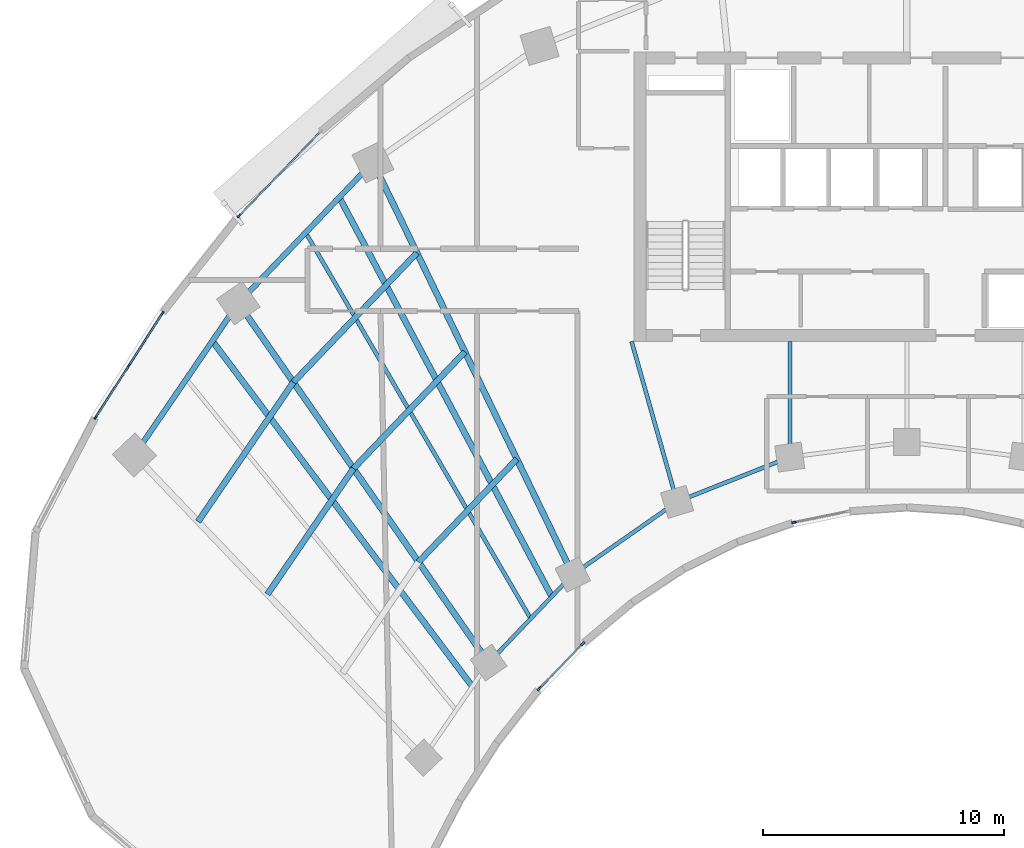
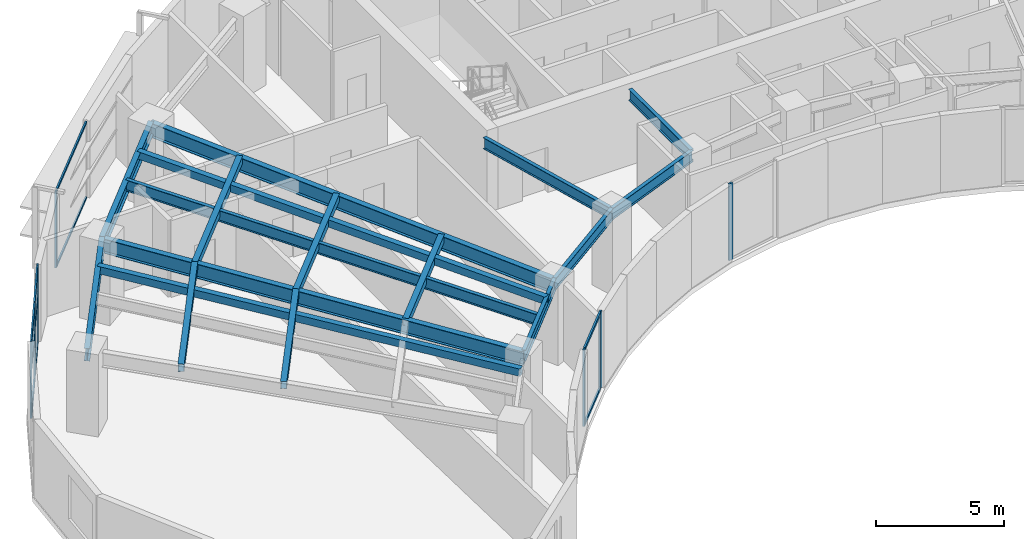
# One storey, part 2 of 14: 17 beams, 17 members, 4 elements without a shape of their own.
"""IFC4 building model written with IfcOpenShell, lengths in metres."""

from ifc_helpers import new_model, si_unit, direction, frame, origin, origin_2d, place, context, subcontext, project, spatial, rectangle, hollow_rectangle, i_section, extrude, source, transform, mapped, material, layer, layer_set, material_profile, profile_set, type_object, type_shapes, element, aggregate, save


model = new_model("IFC4")

# Units and contexts
model_context = context("Model", 3, precision=1e-05, world=origin(), true_north=direction((0.0, 1.0)))
body_context = subcontext(model_context, "Body", "Model", "MODEL_VIEW")
ifc_project = project(units=[si_unit("LENGTHUNIT", "METRE"), si_unit("AREAUNIT", "SQUARE_METRE"), si_unit("VOLUMEUNIT", "CUBIC_METRE"), si_unit("PLANEANGLEUNIT", "RADIAN"), si_unit("MASSUNIT", "GRAM", prefix="KILO")], contexts=[model_context])

# Site, building, storey
site_placement = place(None, origin())
site = spatial("IfcSite", under=ifc_project, at=site_placement, CompositionType="ELEMENT")
building_placement = place(site_placement, origin())
building = spatial("IfcBuilding", under=site, at=building_placement, Name="Breltana Convention Tower", CompositionType="ELEMENT")
storey_placement = place(building_placement, frame((0.0, 0.0, 135.0)))
storey = spatial("IfcBuildingStorey", under=building, at=storey_placement, Name="L32", CompositionType="ELEMENT", Elevation=135.0)

# Beams
ifc_material_1 = material(Name="Steel ASTM A992 Grade 50", Category="steel")
ifc_material_profile_1 = material_profile(ifc_material_1, i_section(OverallWidth=0.25390625, OverallDepth=0.68798828125, WebThickness=0.01318359375, FlangeThickness=0.02099609375, at=origin_2d()), Name="W27X102")
ifc_profile_set_1 = profile_set([ifc_material_profile_1], Name="Steel ASTM A992 Grade 50")
beam_type_1 = type_object("IfcBeamType", Name="BM-RG-W27X102", PredefinedType="USERDEFINED", material=ifc_profile_set_1)
shared_shape_1 = source(origin(), body_context, "Body", "SweptSolid", [
    extrude(i_section(OverallWidth=0.25390625, OverallDepth=0.68798828125, WebThickness=0.01318359375, FlangeThickness=0.02099609375, at=origin_2d()), origin(), (0.0, 0.0, 1.0), 18.1484375),
])
beam_1_placement = place(storey_placement, frame((30.67724609375, 46.892333984375, 3.305908203125), z_axis=(-0.571207556098, 0.820805657788, 0.0), x_axis=(-0.820805657788, -0.571207556098, 0.0)))
element("IfcBeam", 1, at=beam_1_placement, inside=storey, type_object=beam_type_1, Name="L32 Radial Floor Girder R02", ObjectType="GIRDER", PredefinedType="USERDEFINED", context=body_context, shape_type="MappedRepresentation", body=[
    mapped(shared_shape_1, transform((0.0, 0.0, 0.0), scale=1.0)),
])
shared_shape_2 = source(origin(), body_context, "Body", "SweptSolid", [
    extrude(i_section(OverallWidth=0.25390625, OverallDepth=0.68798828125, WebThickness=0.01318359375, FlangeThickness=0.02099609375, at=origin_2d()), origin(), (0.0, 0.0, 1.0), 18.982421875),
])
beam_2_placement = place(storey_placement, frame((34.166259765625, 50.544921875, 3.305908203125), z_axis=(-0.436118560343, 0.89988921614, 0.0), x_axis=(-0.89988921614, -0.436118560343, 0.0)))
element("IfcBeam", 2, at=beam_2_placement, inside=storey, type_object=beam_type_1, Name="L32 Radial Floor Girder R03", ObjectType="GIRDER", PredefinedType="USERDEFINED", context=body_context, shape_type="MappedRepresentation", body=[
    mapped(shared_shape_2, transform((0.0, 0.0, 0.0), scale=1.0)),
])
ifc_material_profile_2 = material_profile(ifc_material_1, i_section(OverallWidth=0.166015625, OverallDepth=0.534912109375, WebThickness=0.01025390625, FlangeThickness=0.0166015625, at=origin_2d()), Name="W21X57")
ifc_profile_set_2 = profile_set([ifc_material_profile_2], Name="Steel ASTM A992 Grade 50")
beam_type_2 = type_object("IfcBeamType", Name="BM-BM-W21X57", PredefinedType="BEAM", material=ifc_profile_set_2)
shared_shape_3 = source(origin(), body_context, "Body", "SweptSolid", [
    extrude(i_section(OverallWidth=0.166015625, OverallDepth=0.534912109375, WebThickness=0.01025390625, FlangeThickness=0.0166015625, at=origin_2d()), origin(), (0.0, 0.0, 1.0), 6.904541015625),
])
type_shapes(beam_type_2, [shared_shape_3])
beam_3_placement = place(storey_placement, frame((36.60009765625, 60.199951171875, 3.382568359375), z_axis=(0.273006781054, -0.962012108811, 0.0), x_axis=(0.962012108811, 0.273006781054, 0.0)))
element("IfcBeam", 3, at=beam_3_placement, inside=storey, type_object=beam_type_2, Name="L32 South Core Tie Girder R04", PredefinedType="BEAM", context=body_context, shape_type="MappedRepresentation", body=[
    mapped(shared_shape_3, transform((0.0, 0.0, 0.0), scale=1.0)),
])
shared_shape_4 = source(origin(), body_context, "Body", "SweptSolid", [
    extrude(i_section(OverallWidth=0.166015625, OverallDepth=0.534912109375, WebThickness=0.01025390625, FlangeThickness=0.0166015625, at=origin_2d()), origin(), (0.0, 0.0, 1.0), 4.789306640625),
])
beam_4_placement = place(storey_placement, frame((43.153564453125, 60.199951171875, 3.382568359375), z_axis=(0.0, -1.0, 0.0), x_axis=(1.0, 0.0, 0.0)))
element("IfcBeam", 4, at=beam_4_placement, inside=storey, type_object=beam_type_2, Name="L32 South Core Tie Girder R05", PredefinedType="BEAM", context=body_context, shape_type="MappedRepresentation", body=[
    mapped(shared_shape_4, transform((0.0, 0.0, 0.0), scale=1.0)),
])
ifc_material_profile_3 = material_profile(ifc_material_1, i_section(OverallWidth=0.22802734375, OverallDepth=0.60791015625, WebThickness=0.01123046875, FlangeThickness=0.017333984375, at=origin_2d()), Name="W24X76")
ifc_profile_set_3 = profile_set([ifc_material_profile_3], Name="Steel ASTM A992 Grade 50")
beam_type_3 = type_object("IfcBeamType", Name="BM-SP-W24X76", PredefinedType="SPANDREL", material=ifc_profile_set_3)
shared_shape_5 = source(origin(), body_context, "Body", "SweptSolid", [
    extrude(i_section(OverallWidth=0.22802734375, OverallDepth=0.60791015625, WebThickness=0.01123046875, FlangeThickness=0.017333984375, at=origin_2d()), origin(), (0.0, 0.0, 1.0), 7.625),
])
type_shapes(beam_type_3, [shared_shape_5])
beam_5_placement = place(storey_placement, frame((16.0068359375, 55.494384765625, 3.345947265625), z_axis=(0.564452031902, 0.825465870694, 0.0), x_axis=(-0.825465870694, 0.564452031902, 0.0)))
element("IfcBeam", 5, at=beam_5_placement, inside=storey, type_object=beam_type_3, Name="L32 Outer Spandrel Beam 01", PredefinedType="SPANDREL", context=body_context, shape_type="MappedRepresentation", body=[
    mapped(shared_shape_5, transform((0.0, 0.0, 0.0), scale=1.0)),
])
shared_shape_6 = source(origin(), body_context, "Body", "SweptSolid", [
    extrude(i_section(OverallWidth=0.166015625, OverallDepth=0.534912109375, WebThickness=0.01025390625, FlangeThickness=0.0166015625, at=origin_2d()), origin(), (0.0, 0.0, 1.0), 5.05126953125),
])
beam_6_placement = place(storey_placement, frame((30.67724609375, 46.892333984375, 3.382568359375), z_axis=(0.690729753845, 0.7231129975, 0.0), x_axis=(-0.7231129975, 0.690729753845, 0.0)))
element("IfcBeam", 6, at=beam_6_placement, inside=storey, type_object=beam_type_2, Name="L32 Inner Ring Beam 02", PredefinedType="BEAM", context=body_context, shape_type="MappedRepresentation", body=[
    mapped(shared_shape_6, transform((0.0, 0.0, 0.0), scale=1.0)),
])
shared_shape_7 = source(origin(), body_context, "Body", "SweptSolid", [
    extrude(i_section(OverallWidth=0.22802734375, OverallDepth=0.60791015625, WebThickness=0.01123046875, FlangeThickness=0.017333984375, at=origin_2d()), origin(), (0.0, 0.0, 1.0), 8.073974609375),
])
beam_7_placement = place(storey_placement, frame((20.310791015625, 61.78857421875, 3.345947265625), z_axis=(0.69072885448, 0.723113856588, 0.0), x_axis=(-0.723113856588, 0.69072885448, 0.0)))
element("IfcBeam", 7, at=beam_7_placement, inside=storey, type_object=beam_type_3, Name="L32 Outer Spandrel Beam 02", PredefinedType="SPANDREL", context=body_context, shape_type="MappedRepresentation", body=[
    mapped(shared_shape_7, transform((0.0, 0.0, 0.0), scale=1.0)),
])
shared_shape_8 = source(origin(), body_context, "Body", "SweptSolid", [
    extrude(i_section(OverallWidth=0.166015625, OverallDepth=0.534912109375, WebThickness=0.01025390625, FlangeThickness=0.0166015625, at=origin_2d()), origin(), (0.0, 0.0, 1.0), 5.265869140625),
])
beam_8_placement = place(storey_placement, frame((34.166259765625, 50.544921875, 3.382568359375), z_axis=(0.820167429517, 0.572123577176, 0.0), x_axis=(-0.572123577176, 0.820167429517, 0.0)))
element("IfcBeam", 8, at=beam_8_placement, inside=storey, type_object=beam_type_2, Name="L32 Inner Ring Beam 03", PredefinedType="BEAM", context=body_context, shape_type="MappedRepresentation", body=[
    mapped(shared_shape_8, transform((0.0, 0.0, 0.0), scale=1.0)),
])
shared_shape_9 = source(origin(), body_context, "Body", "SweptSolid", [
    extrude(i_section(OverallWidth=0.166015625, OverallDepth=0.534912109375, WebThickness=0.01025390625, FlangeThickness=0.0166015625, at=origin_2d()), origin(), (0.0, 0.0, 1.0), 5.022705078125),
])
beam_9_placement = place(storey_placement, frame((38.485107421875, 53.5576171875, 3.382568359375), z_axis=(0.929458966248, 0.368925507469, 0.0), x_axis=(-0.368925507469, 0.929458966248, 0.0)))
element("IfcBeam", 9, at=beam_9_placement, inside=storey, type_object=beam_type_2, Name="L32 Inner Ring Beam 04", PredefinedType="BEAM", context=body_context, shape_type="MappedRepresentation", body=[
    mapped(shared_shape_9, transform((0.0, 0.0, 0.0), scale=1.0)),
])
ifc_material_profile_4 = material_profile(ifc_material_1, hollow_rectangle(XDim=0.25, YDim=0.35009765625, WallThickness=0.011962890625, at=origin_2d()), Name="RHS350X250X12")
ifc_profile_set_4 = profile_set([ifc_material_profile_4], Name="Steel ASTM A992 Grade 50")
beam_type_4 = type_object("IfcBeamType", Name="BM-JSG-12", PredefinedType="JOIST", material=ifc_profile_set_4)
shared_shape_10 = source(origin(), body_context, "Body", "SweptSolid", [
    extrude(hollow_rectangle(XDim=0.25, YDim=0.35009765625, WallThickness=0.011962890625, at=origin_2d()), origin(), (0.0, 0.0, 1.0), 6.311767578125),
])
beam_10_placement = place(storey_placement, frame((21.5166015625, 49.72607421875, 3.47509765625), z_axis=(0.564453712577, 0.825464721449, 0.0), x_axis=(-0.825464721449, 0.564453712577, 0.0)))
element("IfcBeam", 10, at=beam_10_placement, inside=storey, type_object=beam_type_4, Name="L32 Composite Floor Joist 01.2", PredefinedType="JOIST", context=body_context, shape_type="MappedRepresentation", body=[
    mapped(shared_shape_10, transform((0.0, 0.0, 0.0), scale=1.0)),
])
shared_shape_11 = source(origin(), body_context, "Body", "SweptSolid", [
    extrude(hollow_rectangle(XDim=0.25, YDim=0.35009765625, WallThickness=0.011962890625, at=origin_2d()), origin(), (0.0, 0.0, 1.0), 6.997314453125),
])
beam_11_placement = place(storey_placement, frame((18.641845703125, 52.735595703125, 3.47509765625), z_axis=(0.564468756361, 0.825454434292, 0.0), x_axis=(-0.825454434292, 0.564468756361, 0.0)))
element("IfcBeam", 11, at=beam_11_placement, inside=storey, type_object=beam_type_4, Name="L32 Composite Floor Joist 01.3", PredefinedType="JOIST", context=body_context, shape_type="MappedRepresentation", body=[
    mapped(shared_shape_11, transform((0.0, 0.0, 0.0), scale=1.0)),
])
shared_shape_12 = source(origin(), body_context, "Body", "SweptSolid", [
    extrude(hollow_rectangle(XDim=0.25, YDim=0.35009765625, WallThickness=0.011962890625, at=origin_2d()), origin(), (0.0, 0.0, 1.0), 17.9072265625),
])
beam_12_placement = place(storey_placement, frame((30.00390625, 45.907958984375, 3.47509765625), z_axis=(-0.601382105028, 0.798961553363, 0.0), x_axis=(-0.798961553363, -0.601382105028, 0.0)))
element("IfcBeam", 12, at=beam_12_placement, inside=storey, type_object=beam_type_4, Name="L32 Quarter-Bay Radial Trimmer 01", PredefinedType="JOIST", context=body_context, shape_type="MappedRepresentation", body=[
    mapped(shared_shape_12, transform((0.0, 0.0, 0.0), scale=1.0)),
])
shared_shape_13 = source(origin(), body_context, "Body", "SweptSolid", [
    extrude(hollow_rectangle(XDim=0.25, YDim=0.35009765625, WallThickness=0.011962890625, at=origin_2d()), origin(), (0.0, 0.0, 1.0), 5.8974609375),
])
beam_13_placement = place(storey_placement, frame((27.774658203125, 51.063232421875, 3.47509765625), z_axis=(0.690713978666, 0.723128065888, 0.0), x_axis=(-0.723128065888, 0.690713978666, 0.0)))
element("IfcBeam", 13, at=beam_13_placement, inside=storey, type_object=beam_type_4, Name="L32 Composite Floor Joist 02.1", PredefinedType="JOIST", context=body_context, shape_type="MappedRepresentation", body=[
    mapped(shared_shape_13, transform((0.0, 0.0, 0.0), scale=1.0)),
])
shared_shape_14 = source(origin(), body_context, "Body", "SweptSolid", [
    extrude(hollow_rectangle(XDim=0.25, YDim=0.35009765625, WallThickness=0.011962890625, at=origin_2d()), origin(), (0.0, 0.0, 1.0), 6.68359375),
])
beam_14_placement = place(storey_placement, frame((25.079345703125, 54.936279296875, 3.47509765625), z_axis=(0.690720705885, 0.723121640156, 0.0), x_axis=(-0.723121640156, 0.690720705885, 0.0)))
element("IfcBeam", 14, at=beam_14_placement, inside=storey, type_object=beam_type_4, Name="L32 Composite Floor Joist 02.2", PredefinedType="JOIST", context=body_context, shape_type="MappedRepresentation", body=[
    mapped(shared_shape_14, transform((0.0, 0.0, 0.0), scale=1.0)),
])
shared_shape_15 = source(origin(), body_context, "Body", "SweptSolid", [
    extrude(hollow_rectangle(XDim=0.25, YDim=0.35009765625, WallThickness=0.011962890625, at=origin_2d()), origin(), (0.0, 0.0, 1.0), 7.40869140625),
])
beam_15_placement = place(storey_placement, frame((22.591552734375, 58.511474609375, 3.47509765625), z_axis=(0.690724936208, 0.723117599358, 0.0), x_axis=(-0.723117599358, 0.690724936208, 0.0)))
element("IfcBeam", 15, at=beam_15_placement, inside=storey, type_object=beam_type_4, Name="L32 Composite Floor Joist 02.3", PredefinedType="JOIST", context=body_context, shape_type="MappedRepresentation", body=[
    mapped(shared_shape_15, transform((0.0, 0.0, 0.0), scale=1.0)),
])
ifc_material_profile_5 = material_profile(ifc_material_1, i_section(OverallWidth=0.166015625, OverallDepth=0.534912109375, WebThickness=0.01025390625, FlangeThickness=0.0166015625, at=origin_2d()), Name="W21X57")
ifc_profile_set_5 = profile_set([ifc_material_profile_5], Name="Steel ASTM A992 Grade 50")
beam_type_5 = type_object("IfcBeamType", Name="BM-JSG-05", PredefinedType="JOIST", material=ifc_profile_set_5)
shared_shape_16 = source(origin(), body_context, "Body", "SweptSolid", [
    extrude(i_section(OverallWidth=0.166015625, OverallDepth=0.534912109375, WebThickness=0.01025390625, FlangeThickness=0.0166015625, at=origin_2d()), origin(), (0.0, 0.0, 1.0), 18.50830078125),
])
beam_16_placement = place(storey_placement, frame((32.421630859375, 48.71875, 3.382568359375), z_axis=(-0.50368319637, 0.863888440537, 0.0), x_axis=(-0.863888440537, -0.50368319637, 0.0)))
element("IfcBeam", 16, at=beam_16_placement, inside=storey, type_object=beam_type_5, Name="L32 Mid-Bay Radial Trimmer 02", PredefinedType="JOIST", context=body_context, shape_type="MappedRepresentation", body=[
    mapped(shared_shape_16, transform((0.0, 0.0, 0.0), scale=1.0)),
])
shared_shape_17 = source(origin(), body_context, "Body", "SweptSolid", [
    extrude(hollow_rectangle(XDim=0.25, YDim=0.35009765625, WallThickness=0.011962890625, at=origin_2d()), origin(), (0.0, 0.0, 1.0), 18.731689453125),
])
beam_17_placement = place(storey_placement, frame((33.2939453125, 49.6318359375, 3.47509765625), z_axis=(-0.469820250451, 0.882762104004, 0.0), x_axis=(-0.882762104004, -0.469820250451, 0.0)))
element("IfcBeam", 17, at=beam_17_placement, inside=storey, type_object=beam_type_4, Name="L32 Quarter-Bay Radial Trimmer 02", PredefinedType="JOIST", context=body_context, shape_type="MappedRepresentation", body=[
    mapped(shared_shape_17, transform((0.0, 0.0, 0.0), scale=1.0)),
])

# Curtain wall, members
ifc_material_2 = material(Name="Aluminium Anodised Bronze Frame", Category="aluminium")
ifc_layer_1 = layer(ifc_material_2, 0.18994140625, Name="Aluminium Anodised Bronze Frame")
ifc_layer_set_1 = layer_set([ifc_layer_1], Name="Aluminium Anodised Bronze Frame")
curtain_wall_type_1 = type_object("IfcCurtainWallType", Name="CW-SYS-1", PredefinedType="NOTDEFINED", material=ifc_layer_set_1)
curtain_wall_1_placement = place(storey_placement, origin())
curtain_wall_1 = element("IfcCurtainWall", 18, at=curtain_wall_1_placement, inside=storey, type_object=curtain_wall_type_1, Name="L32 inner south-court glazing 5", PredefinedType="NOTDEFINED")
ifc_material_3 = material(Name="Aluminium Anodised Bronze", Category="aluminium")
ifc_material_profile_6 = material_profile(ifc_material_3, rectangle(XDim=0.080078125, YDim=0.139892578125, at=origin_2d()), Name="CWT-80X140")
ifc_profile_set_6 = profile_set([ifc_material_profile_6], Name="Aluminium Anodised Bronze")
member_type_1 = type_object("IfcMemberType", Name="CWT-140", PredefinedType="USERDEFINED", material=ifc_profile_set_6)
shared_shape_18 = source(origin(), body_context, "Body", "SweptSolid", [
    extrude(rectangle(XDim=0.080078125, YDim=0.139892578125, at=origin_2d()), origin(), (0.0, 0.0, 1.0), 2.519775390625),
])
member_1_placement = place(storey_placement, frame((34.5458984375, 47.650390625, 0.0400390625), z_axis=(-0.694596242791, -0.719399791146, 0.0), x_axis=(0.719399791146, -0.694596242791, 0.0)))
member_1 = element("IfcMember", 19, at=member_1_placement, type_object=member_type_1, Name="CW-01 transom 1.1", ObjectType="TRANSOM", PredefinedType="USERDEFINED", context=body_context, shape_type="MappedRepresentation", body=[
    mapped(shared_shape_18, transform((0.0, 0.0, 0.0), scale=1.0)),
])
member_2_placement = place(storey_placement, frame((34.5458984375, 47.650390625, 3.610107421875), z_axis=(-0.694596242791, -0.719399791146, 0.0), x_axis=(0.719399791146, -0.694596242791, 0.0)))
member_2 = element("IfcMember", 20, at=member_2_placement, type_object=member_type_1, Name="CW-01 transom 1.2", ObjectType="TRANSOM", PredefinedType="USERDEFINED", context=body_context, shape_type="MappedRepresentation", body=[
    mapped(shared_shape_18, transform((0.0, 0.0, 0.0), scale=1.0)),
])

# Curtain wall, member
curtain_wall_2_placement = place(storey_placement, origin())
curtain_wall_2 = element("IfcCurtainWall", 21, at=curtain_wall_2_placement, inside=storey, type_object=curtain_wall_type_1, Name="L32 inner south-court glazing 4", PredefinedType="NOTDEFINED")
ifc_material_profile_7 = material_profile(ifc_material_3, rectangle(XDim=0.080078125, YDim=0.199951171875, at=origin_2d()), Name="CWM-80X200")
ifc_profile_set_7 = profile_set([ifc_material_profile_7], Name="Aluminium Anodised Bronze")
member_type_2 = type_object("IfcMemberType", Name="CWM-200", PredefinedType="MULLION", material=ifc_profile_set_7)
shared_shape_19 = source(origin(), body_context, "Body", "SweptSolid", [
    extrude(rectangle(XDim=0.080078125, YDim=0.199951171875, at=origin_2d()), origin(), (0.0, 0.0, 1.0), 3.64990234375),
])
member_3_placement = place(storey_placement, frame((43.327880859375, 52.703125, 0.0), z_axis=(0.0, 0.0, 1.0), x_axis=(0.200852929183, -0.979621406891, 0.0)))
member_3 = element("IfcMember", 22, at=member_3_placement, type_object=member_type_2, Name="CW-01 mullion 2", PredefinedType="MULLION", context=body_context, shape_type="MappedRepresentation", body=[
    mapped(shared_shape_19, transform((0.0, 0.0, 0.0), scale=1.0)),
])
aggregate(curtain_wall_2, [member_3])

# Member
member_4_placement = place(storey_placement, frame((34.57373046875, 47.67919921875, 0.0), z_axis=(0.0, 0.0, 1.0), x_axis=(0.719387314642, -0.694609164589, 0.0)))
member_4 = element("IfcMember", 23, at=member_4_placement, type_object=member_type_2, Name="CW-01 mullion 1", PredefinedType="MULLION", context=body_context, shape_type="MappedRepresentation", body=[
    mapped(shared_shape_19, transform((0.0, 0.0, 0.0), scale=1.0)),
])

member_5_placement = place(storey_placement, frame((32.767822265625, 45.808837890625, 0.0), z_axis=(0.0, 0.0, 1.0), x_axis=(0.719387314642, -0.694609164589, 0.0)))
member_5 = element("IfcMember", 24, at=member_5_placement, type_object=member_type_2, Name="CW-01 mullion 2", PredefinedType="MULLION", context=body_context, shape_type="MappedRepresentation", body=[
    mapped(shared_shape_19, transform((0.0, 0.0, 0.0), scale=1.0)),
])

aggregate(curtain_wall_1, [member_4, member_5, member_1, member_2])

# Curtain wall, members
ifc_layer_2 = layer(ifc_material_2, 0.22998046875, Name="Aluminium Anodised Bronze Frame")
ifc_layer_set_2 = layer_set([ifc_layer_2], Name="Aluminium Anodised Bronze Frame")
curtain_wall_type_2 = type_object("IfcCurtainWallType", Name="CW-SYS-5", PredefinedType="NOTDEFINED", material=ifc_layer_set_2)
curtain_wall_3_placement = place(storey_placement, origin())
curtain_wall_3 = element("IfcCurtainWall", 25, at=curtain_wall_3_placement, inside=storey, type_object=curtain_wall_type_2, Name="L32 outer double-skin inner glazing 1", PredefinedType="NOTDEFINED")
ifc_material_profile_8 = material_profile(ifc_material_3, rectangle(XDim=0.070068359375, YDim=0.175048828125, at=origin_2d()), Name="CWM-70X175")
ifc_profile_set_8 = profile_set([ifc_material_profile_8], Name="Aluminium Anodised Bronze")
member_type_3 = type_object("IfcMemberType", Name="CWM-175", PredefinedType="MULLION", material=ifc_profile_set_8)
shared_shape_20 = source(origin(), body_context, "Body", "SweptSolid", [
    extrude(rectangle(XDim=0.070068359375, YDim=0.175048828125, at=origin_2d()), origin(), (0.0, 0.0, 1.0), 3.64990234375),
])
member_6_placement = place(storey_placement, frame((14.395751953125, 57.049560546875, 0.0), z_axis=(0.0, 0.0, 1.0), x_axis=(-0.84155155167, 0.540176809834, 0.0)))
member_6 = element("IfcMember", 26, at=member_6_placement, type_object=member_type_3, Name="CW-05 mullion 1", PredefinedType="MULLION", context=body_context, shape_type="MappedRepresentation", body=[
    mapped(shared_shape_20, transform((0.0, 0.0, 0.0), scale=1.0)),
])
member_7_placement = place(storey_placement, frame((15.78271484375, 59.210205078125, 0.0), z_axis=(0.0, 0.0, 1.0), x_axis=(-0.84155155167, 0.540176809834, 0.0)))
member_7 = element("IfcMember", 27, at=member_7_placement, type_object=member_type_3, Name="CW-05 mullion 2", PredefinedType="MULLION", context=body_context, shape_type="MappedRepresentation", body=[
    mapped(shared_shape_20, transform((0.0, 0.0, 0.0), scale=1.0)),
])
member_8_placement = place(storey_placement, frame((17.169677734375, 61.370849609375, 0.0), z_axis=(0.0, 0.0, 1.0), x_axis=(-0.84155155167, 0.540176809834, 0.0)))
member_8 = element("IfcMember", 28, at=member_8_placement, type_object=member_type_3, Name="CW-05 mullion 3", PredefinedType="MULLION", context=body_context, shape_type="MappedRepresentation", body=[
    mapped(shared_shape_20, transform((0.0, 0.0, 0.0), scale=1.0)),
])

# Curtain wall, member
curtain_wall_4_placement = place(storey_placement, origin())
curtain_wall_4 = element("IfcCurtainWall", 29, at=curtain_wall_4_placement, inside=storey, type_object=curtain_wall_type_2, Name="L32 outer double-skin inner glazing 2", PredefinedType="NOTDEFINED")
member_9_placement = place(storey_placement, frame((20.339599609375, 65.401611328125, 0.0), z_axis=(0.0, 0.0, 1.0), x_axis=(-0.719384961558, 0.694611601605, 0.0)))
member_9 = element("IfcMember", 30, at=member_9_placement, type_object=member_type_3, Name="CW-05 mullion 1", PredefinedType="MULLION", context=body_context, shape_type="MappedRepresentation", body=[
    mapped(shared_shape_20, transform((0.0, 0.0, 0.0), scale=1.0)),
])

# Member
ifc_material_profile_9 = material_profile(ifc_material_3, rectangle(XDim=0.070068359375, YDim=0.1201171875, at=origin_2d()), Name="CWT-70X120")
ifc_profile_set_9 = profile_set([ifc_material_profile_9], Name="Aluminium Anodised Bronze")
member_type_4 = type_object("IfcMemberType", Name="CWT-120", PredefinedType="USERDEFINED", material=ifc_profile_set_9)
shared_shape_21 = source(origin(), body_context, "Body", "SweptSolid", [
    extrude(rectangle(XDim=0.070068359375, YDim=0.1201171875, at=origin_2d()), origin(), (0.0, 0.0, 1.0), 2.49755859375),
])
member_10_placement = place(storey_placement, frame((14.41455078125, 57.078857421875, 0.034912109375), z_axis=(0.540179419124, 0.841549876808, 0.0), x_axis=(-0.841549876808, 0.540179419124, 0.0)))
member_10 = element("IfcMember", 31, at=member_10_placement, type_object=member_type_4, Name="CW-05 transom 1.1", ObjectType="TRANSOM", PredefinedType="USERDEFINED", context=body_context, shape_type="MappedRepresentation", body=[
    mapped(shared_shape_21, transform((0.0, 0.0, 0.0), scale=1.0)),
])

member_11_placement = place(storey_placement, frame((14.41455078125, 57.078857421875, 2.37255859375), z_axis=(0.540179419124, 0.841549876808, 0.0), x_axis=(-0.841549876808, 0.540179419124, 0.0)))
member_11 = element("IfcMember", 32, at=member_11_placement, type_object=member_type_4, Name="CW-05 transom 1.2", ObjectType="TRANSOM", PredefinedType="USERDEFINED", context=body_context, shape_type="MappedRepresentation", body=[
    mapped(shared_shape_21, transform((0.0, 0.0, 0.0), scale=1.0)),
])

member_12_placement = place(storey_placement, frame((14.41455078125, 57.078857421875, 3.614990234375), z_axis=(0.540179419124, 0.841549876808, 0.0), x_axis=(-0.841549876808, 0.540179419124, 0.0)))
member_12 = element("IfcMember", 33, at=member_12_placement, type_object=member_type_4, Name="CW-05 transom 1.3", ObjectType="TRANSOM", PredefinedType="USERDEFINED", context=body_context, shape_type="MappedRepresentation", body=[
    mapped(shared_shape_21, transform((0.0, 0.0, 0.0), scale=1.0)),
])

member_13_placement = place(storey_placement, frame((15.801513671875, 59.23974609375, 0.034912109375), z_axis=(0.540179419124, 0.841549876808, 0.0), x_axis=(-0.841549876808, 0.540179419124, 0.0)))
member_13 = element("IfcMember", 34, at=member_13_placement, type_object=member_type_4, Name="CW-05 transom 2.1", ObjectType="TRANSOM", PredefinedType="USERDEFINED", context=body_context, shape_type="MappedRepresentation", body=[
    mapped(shared_shape_21, transform((0.0, 0.0, 0.0), scale=1.0)),
])

member_14_placement = place(storey_placement, frame((15.801513671875, 59.23974609375, 2.37255859375), z_axis=(0.540179419124, 0.841549876808, 0.0), x_axis=(-0.841549876808, 0.540179419124, 0.0)))
member_14 = element("IfcMember", 35, at=member_14_placement, type_object=member_type_4, Name="CW-05 transom 2.2", ObjectType="TRANSOM", PredefinedType="USERDEFINED", context=body_context, shape_type="MappedRepresentation", body=[
    mapped(shared_shape_21, transform((0.0, 0.0, 0.0), scale=1.0)),
])

member_15_placement = place(storey_placement, frame((15.801513671875, 59.23974609375, 3.614990234375), z_axis=(0.540179419124, 0.841549876808, 0.0), x_axis=(-0.841549876808, 0.540179419124, 0.0)))
member_15 = element("IfcMember", 36, at=member_15_placement, type_object=member_type_4, Name="CW-05 transom 2.3", ObjectType="TRANSOM", PredefinedType="USERDEFINED", context=body_context, shape_type="MappedRepresentation", body=[
    mapped(shared_shape_21, transform((0.0, 0.0, 0.0), scale=1.0)),
])

aggregate(curtain_wall_3, [member_6, member_7, member_8, member_10, member_11, member_12, member_13, member_14, member_15])

shared_shape_22 = source(origin(), body_context, "Body", "SweptSolid", [
    extrude(rectangle(XDim=0.070068359375, YDim=0.1201171875, at=origin_2d()), origin(), (0.0, 0.0, 1.0), 4.7685546875),
])
member_16_placement = place(storey_placement, frame((20.36376953125, 65.4267578125, 0.034912109375), z_axis=(0.694608218982, 0.719388227679, 0.0), x_axis=(-0.719388227679, 0.694608218982, 0.0)))
member_16 = element("IfcMember", 37, at=member_16_placement, type_object=member_type_4, Name="CW-05 transom 1.1", ObjectType="TRANSOM", PredefinedType="USERDEFINED", context=body_context, shape_type="MappedRepresentation", body=[
    mapped(shared_shape_22, transform((0.0, 0.0, 0.0), scale=1.0)),
])

member_17_placement = place(storey_placement, frame((20.36376953125, 65.4267578125, 3.614990234375), z_axis=(0.694608218982, 0.719388227679, 0.0), x_axis=(-0.719388227679, 0.694608218982, 0.0)))
member_17 = element("IfcMember", 38, at=member_17_placement, type_object=member_type_4, Name="CW-05 transom 1.2", ObjectType="TRANSOM", PredefinedType="USERDEFINED", context=body_context, shape_type="MappedRepresentation", body=[
    mapped(shared_shape_22, transform((0.0, 0.0, 0.0), scale=1.0)),
])

aggregate(curtain_wall_4, [member_9, member_16, member_17])

save(model, "model.ifc")
